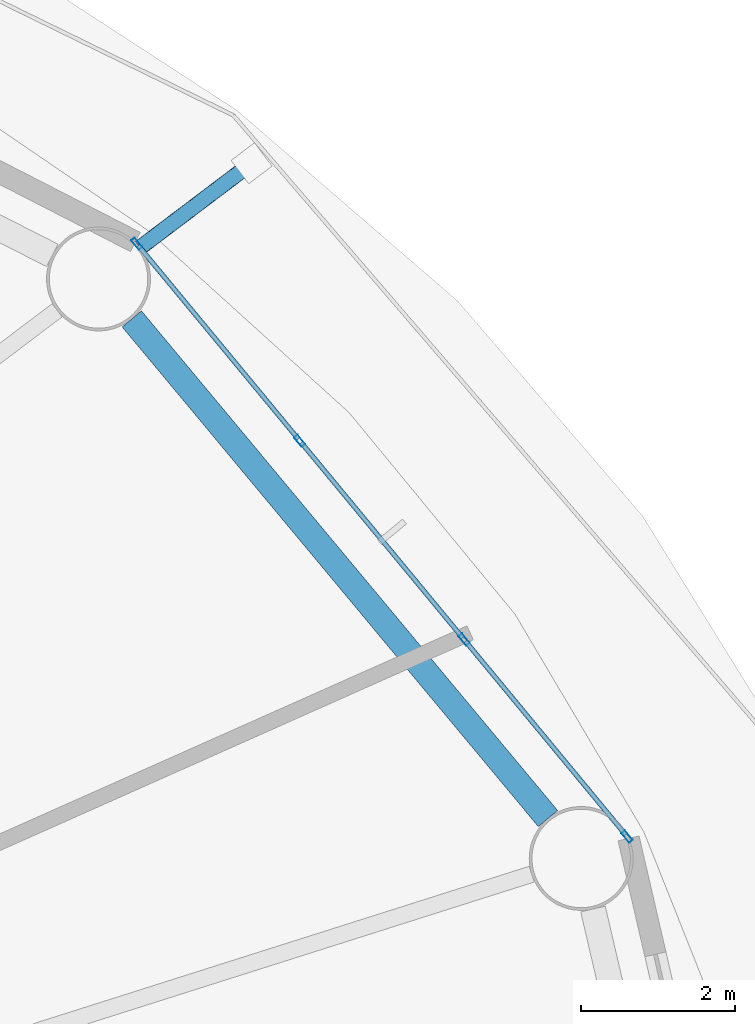
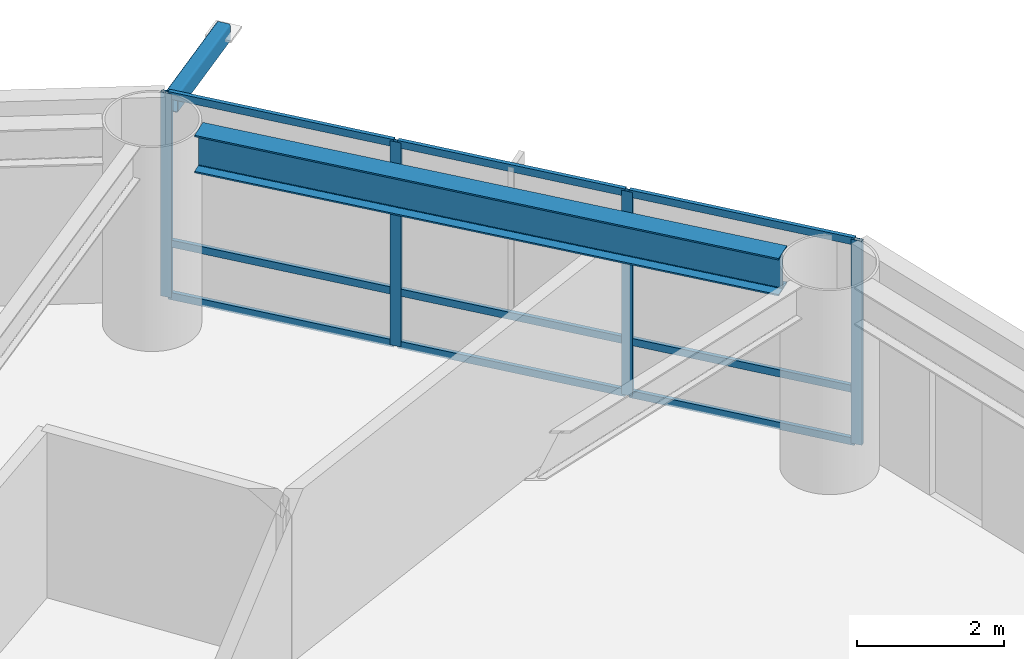
# One storey, part 14 of 26: 14 members, 1 beam, 1 element without a shape of its own.
"""IFC4 building model written with IfcOpenShell, lengths in metres."""

from ifc_helpers import new_model, si_unit, direction, frame, origin, origin_2d, place, context, subcontext, project, spatial, hollow_rectangle, i_section, extrude, material, layer, layer_set, material_profile, profile_set, type_object, element, aggregate, save


model = new_model("IFC4")

# Units and contexts
model_context = context("Model", 3, precision=1e-05, world=origin(), true_north=direction((0.0, 1.0)))
body_context = subcontext(model_context, "Body", "Model", "MODEL_VIEW")
ifc_project = project(units=[si_unit("LENGTHUNIT", "METRE"), si_unit("AREAUNIT", "SQUARE_METRE"), si_unit("VOLUMEUNIT", "CUBIC_METRE"), si_unit("PLANEANGLEUNIT", "RADIAN"), si_unit("MASSUNIT", "GRAM", prefix="KILO")], contexts=[model_context])

# Site, building, storey
site_placement = place(None, origin())
site = spatial("IfcSite", under=ifc_project, at=site_placement, CompositionType="ELEMENT")
building_placement = place(site_placement, origin())
building = spatial("IfcBuilding", under=site, at=building_placement, Name="Sarneth Arch Tower", CompositionType="ELEMENT")
storey_placement = place(building_placement, frame((0.0, 0.0, 49.800048828125)))
storey = spatial("IfcBuildingStorey", under=building, at=storey_placement, Name="L11", CompositionType="ELEMENT", Elevation=49.800048828125)

# Beam
ifc_material_1 = material(Name="Steel S355", Category="steel")
ifc_material_profile_1 = material_profile(ifc_material_1, i_section(OverallWidth=0.326904296875, OverallDepth=0.6220703125, WebThickness=0.015380859375, FlangeThickness=0.0244140625, FilletRadius=0.01904296875, at=origin_2d()), Name="W610x195")
ifc_profile_set_1 = profile_set([ifc_material_profile_1], Name="Steel S355")
beam_type = type_object("IfcBeamType", Name="BM-SPAN-610A", PredefinedType="SPANDREL", material=ifc_profile_set_1)
beam_placement = place(storey_placement, frame((75.533447265625, 51.39697265625, 3.06884765625), z_axis=(-0.639979646835, 0.768391860731, 0.0), x_axis=(-0.768391860731, -0.639979646835, 0.0)))
element("IfcBeam", 1, at=beam_placement, inside=storey, type_object=beam_type, Name="L11 Perimeter spandrel beam 02", PredefinedType="SPANDREL", context=body_context, shape_type="SweptSolid", body=[
    extrude(i_section(OverallWidth=0.326904296875, OverallDepth=0.6220703125, WebThickness=0.015380859375, FlangeThickness=0.0244140625, FilletRadius=0.01904296875, at=origin_2d()), origin(), (0.0, 0.0, 1.0), 8.4453125),
])

# Curtain wall, members
ifc_material_2 = material(Name="Anodised aluminium Type AA25 and solar-control low-e laminated IGU", Category="aluminium")
ifc_layer = layer(ifc_material_2, 0.159912109375)
ifc_layer_set = layer_set([ifc_layer], Name="Anodised aluminium Type AA25 and solar-control low-e laminated IGU")
curtain_wall_type = type_object("IfcCurtainWallType", Name="CW-HOTEL-LOW", PredefinedType="NOTDEFINED", material=ifc_layer_set)
curtain_wall_placement = place(storey_placement, origin())
curtain_wall = element("IfcCurtainWall", 2, at=curtain_wall_placement, inside=storey, type_object=curtain_wall_type, Name="L11 Unitised curtain wall facet 02", PredefinedType="NOTDEFINED")
ifc_material_3 = material(Name="Anodised Aluminium 6063-T6", Category="aluminium")
ifc_material_profile_2 = material_profile(ifc_material_3, hollow_rectangle(XDim=0.06005859375, YDim=0.159912109375, WallThickness=0.00390625, at=origin_2d()), Name="AL-MULL-160x60x4")
ifc_profile_set_2 = profile_set([ifc_material_profile_2], Name="Anodised Aluminium 6063-T6")
member_type_1 = type_object("IfcMemberType", Name="CW-MULLION", PredefinedType="MULLION", material=ifc_profile_set_2)
member_1_placement = place(storey_placement, frame((76.561767578125, 51.16162109375, 0.0), z_axis=(0.0, 0.0, 1.0), x_axis=(-0.770622960278, -0.637291340827, 0.0)))
member_1 = element("IfcMember", 3, at=member_1_placement, type_object=member_type_1, Name="CW-SYS-3 mullion 1", PredefinedType="MULLION", context=body_context, shape_type="SweptSolid", body=[
    extrude(hollow_rectangle(XDim=0.06005859375, YDim=0.159912109375, WallThickness=0.00390625, at=origin_2d()), origin(), (0.0, 0.0, 1.0), 3.3798828125),
])
member_2_placement = place(storey_placement, frame((74.4453125, 53.720947265625, 0.0), z_axis=(0.0, 0.0, 1.0), x_axis=(-0.770622960278, -0.637291340827, 0.0)))
member_2 = element("IfcMember", 4, at=member_2_placement, type_object=member_type_1, Name="CW-SYS-3 mullion 2", PredefinedType="MULLION", context=body_context, shape_type="SweptSolid", body=[
    extrude(hollow_rectangle(XDim=0.06005859375, YDim=0.159912109375, WallThickness=0.00390625, at=origin_2d()), origin(), (0.0, 0.0, 1.0), 3.3798828125),
])
member_3_placement = place(storey_placement, frame((72.309814453125, 56.30322265625, 0.0), z_axis=(0.0, 0.0, 1.0), x_axis=(-0.770622960278, -0.637291340827, 0.0)))
member_3 = element("IfcMember", 5, at=member_3_placement, type_object=member_type_1, Name="CW-SYS-3 mullion 3", PredefinedType="MULLION", context=body_context, shape_type="SweptSolid", body=[
    extrude(hollow_rectangle(XDim=0.06005859375, YDim=0.159912109375, WallThickness=0.00390625, at=origin_2d()), origin(), (0.0, 0.0, 1.0), 3.3798828125),
])
member_4_placement = place(storey_placement, frame((70.193359375, 58.862548828125, 0.0), z_axis=(0.0, 0.0, 1.0), x_axis=(-0.770622960278, -0.637291340827, 0.0)))
member_4 = element("IfcMember", 6, at=member_4_placement, type_object=member_type_1, Name="CW-SYS-3 mullion 4", PredefinedType="MULLION", context=body_context, shape_type="SweptSolid", body=[
    extrude(hollow_rectangle(XDim=0.06005859375, YDim=0.159912109375, WallThickness=0.00390625, at=origin_2d()), origin(), (0.0, 0.0, 1.0), 3.3798828125),
])
ifc_material_4 = material(Name="Anodised Aluminium 6063-T6", Category="aluminium")
ifc_material_profile_3 = material_profile(ifc_material_4, hollow_rectangle(XDim=0.06005859375, YDim=0.1201171875, WallThickness=0.00390625, at=origin_2d()), Name="AL-TRAN-120x60x4")
ifc_profile_set_3 = profile_set([ifc_material_profile_3], Name="Anodised Aluminium 6063-T6")
member_type_2 = type_object("IfcMemberType", Name="CW-TRANSOM", PredefinedType="USERDEFINED", material=ifc_profile_set_3)
member_5_placement = place(storey_placement, frame((76.542724609375, 51.184814453125, 0.030029296875), z_axis=(-0.63733019572, 0.77059082633, 0.0), x_axis=(-0.77059082633, -0.63733019572, 0.0)))
member_5 = element("IfcMember", 7, at=member_5_placement, type_object=member_type_2, Name="CW-SYS-3 transom 1.1", ObjectType="TRANSOM", PredefinedType="USERDEFINED", context=body_context, shape_type="SweptSolid", body=[
    extrude(hollow_rectangle(XDim=0.06005859375, YDim=0.1201171875, WallThickness=0.00390625, at=origin_2d()), origin(), (0.0, 0.0, 1.0), 3.260986328125),
])
member_6_placement = place(storey_placement, frame((76.542724609375, 51.184814453125, 0.89990234375), z_axis=(-0.63733019572, 0.77059082633, 0.0), x_axis=(-0.77059082633, -0.63733019572, 0.0)))
member_6 = element("IfcMember", 8, at=member_6_placement, type_object=member_type_2, Name="CW-SYS-3 transom 1.2", ObjectType="TRANSOM", PredefinedType="USERDEFINED", context=body_context, shape_type="SweptSolid", body=[
    extrude(hollow_rectangle(XDim=0.06005859375, YDim=0.1201171875, WallThickness=0.00390625, at=origin_2d()), origin(), (0.0, 0.0, 1.0), 3.260986328125),
])
member_7_placement = place(storey_placement, frame((76.542724609375, 51.184814453125, 3.349853515625), z_axis=(-0.63733019572, 0.77059082633, 0.0), x_axis=(-0.77059082633, -0.63733019572, 0.0)))
member_7 = element("IfcMember", 9, at=member_7_placement, type_object=member_type_2, Name="CW-SYS-3 transom 1.3", ObjectType="TRANSOM", PredefinedType="USERDEFINED", context=body_context, shape_type="SweptSolid", body=[
    extrude(hollow_rectangle(XDim=0.06005859375, YDim=0.1201171875, WallThickness=0.00390625, at=origin_2d()), origin(), (0.0, 0.0, 1.0), 3.260986328125),
])
member_8_placement = place(storey_placement, frame((74.42626953125, 53.743896484375, 0.030029296875), z_axis=(-0.637268595771, 0.770641769465, 0.0), x_axis=(-0.770641769465, -0.637268595771, 0.0)))
member_8 = element("IfcMember", 10, at=member_8_placement, type_object=member_type_2, Name="CW-SYS-3 transom 2.1", ObjectType="TRANSOM", PredefinedType="USERDEFINED", context=body_context, shape_type="SweptSolid", body=[
    extrude(hollow_rectangle(XDim=0.06005859375, YDim=0.1201171875, WallThickness=0.00390625, at=origin_2d()), origin(), (0.0, 0.0, 1.0), 3.291259765625),
])
member_9_placement = place(storey_placement, frame((74.42626953125, 53.743896484375, 0.89990234375), z_axis=(-0.637268595771, 0.770641769465, 0.0), x_axis=(-0.770641769465, -0.637268595771, 0.0)))
member_9 = element("IfcMember", 11, at=member_9_placement, type_object=member_type_2, Name="CW-SYS-3 transom 2.2", ObjectType="TRANSOM", PredefinedType="USERDEFINED", context=body_context, shape_type="SweptSolid", body=[
    extrude(hollow_rectangle(XDim=0.06005859375, YDim=0.1201171875, WallThickness=0.00390625, at=origin_2d()), origin(), (0.0, 0.0, 1.0), 3.291259765625),
])
member_10_placement = place(storey_placement, frame((74.42626953125, 53.743896484375, 3.349853515625), z_axis=(-0.637268595771, 0.770641769465, 0.0), x_axis=(-0.770641769465, -0.637268595771, 0.0)))
member_10 = element("IfcMember", 12, at=member_10_placement, type_object=member_type_2, Name="CW-SYS-3 transom 2.3", ObjectType="TRANSOM", PredefinedType="USERDEFINED", context=body_context, shape_type="SweptSolid", body=[
    extrude(hollow_rectangle(XDim=0.06005859375, YDim=0.1201171875, WallThickness=0.00390625, at=origin_2d()), origin(), (0.0, 0.0, 1.0), 3.291259765625),
])
member_11_placement = place(storey_placement, frame((72.29052734375, 56.326416015625, 0.030029296875), z_axis=(-0.637285736625, 0.770627594817, 0.0), x_axis=(-0.770627594817, -0.637285736625, 0.0)))
member_11 = element("IfcMember", 13, at=member_11_placement, type_object=member_type_2, Name="CW-SYS-3 transom 3.1", ObjectType="TRANSOM", PredefinedType="USERDEFINED", context=body_context, shape_type="SweptSolid", body=[
    extrude(hollow_rectangle(XDim=0.06005859375, YDim=0.1201171875, WallThickness=0.00390625, at=origin_2d()), origin(), (0.0, 0.0, 1.0), 3.260986328125),
])
member_12_placement = place(storey_placement, frame((72.29052734375, 56.326416015625, 0.89990234375), z_axis=(-0.637285736625, 0.770627594817, 0.0), x_axis=(-0.770627594817, -0.637285736625, 0.0)))
member_12 = element("IfcMember", 14, at=member_12_placement, type_object=member_type_2, Name="CW-SYS-3 transom 3.2", ObjectType="TRANSOM", PredefinedType="USERDEFINED", context=body_context, shape_type="SweptSolid", body=[
    extrude(hollow_rectangle(XDim=0.06005859375, YDim=0.1201171875, WallThickness=0.00390625, at=origin_2d()), origin(), (0.0, 0.0, 1.0), 3.260986328125),
])
member_13_placement = place(storey_placement, frame((72.29052734375, 56.326416015625, 3.349853515625), z_axis=(-0.637285736625, 0.770627594817, 0.0), x_axis=(-0.770627594817, -0.637285736625, 0.0)))
member_13 = element("IfcMember", 15, at=member_13_placement, type_object=member_type_2, Name="CW-SYS-3 transom 3.3", ObjectType="TRANSOM", PredefinedType="USERDEFINED", context=body_context, shape_type="SweptSolid", body=[
    extrude(hollow_rectangle(XDim=0.06005859375, YDim=0.1201171875, WallThickness=0.00390625, at=origin_2d()), origin(), (0.0, 0.0, 1.0), 3.260986328125),
])
aggregate(curtain_wall, [member_1, member_2, member_3, member_4, member_5, member_6, member_7, member_8, member_9, member_10, member_11, member_12, member_13])

# Member
ifc_material_5 = material(Name="Steel S355", Category="steel")
ifc_material_profile_4 = material_profile(ifc_material_5, hollow_rectangle(XDim=0.199951171875, YDim=0.300048828125, WallThickness=0.012451171875, InnerFilletRadius=0.018798828125, OuterFilletRadius=0.03125, at=origin_2d()), Name="RHS300x200x12.5")
ifc_profile_set_4 = profile_set([ifc_material_profile_4], Name="Steel S355")
member_type_3 = type_object("IfcMemberType", Name="MEM-CANT-STRUT", PredefinedType="STRUT", material=ifc_profile_set_4)
member_14_placement = place(storey_placement, frame((70.235107421875, 58.81201171875, 3.219970703125), z_axis=(0.797687717011, 0.60307073062, 0.0), x_axis=(-0.60307073062, 0.797687717011, 0.0)))
element("IfcMember", 16, at=member_14_placement, inside=storey, type_object=member_type_3, Name="L11 Balcony cantilever bracket 03", PredefinedType="STRUT", context=body_context, shape_type="SweptSolid", body=[
    extrude(hollow_rectangle(XDim=0.199951171875, YDim=0.300048828125, WallThickness=0.012451171875, InnerFilletRadius=0.018798828125, OuterFilletRadius=0.03125, at=origin_2d()), origin(), (0.0, 0.0, 1.0), 1.81640625),
])

save(model, "model.ifc")
